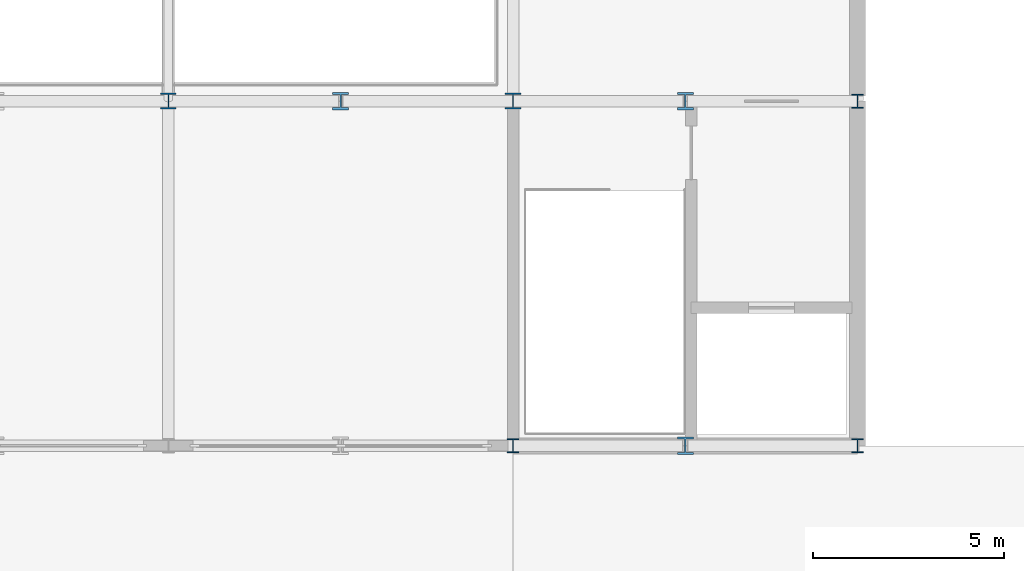
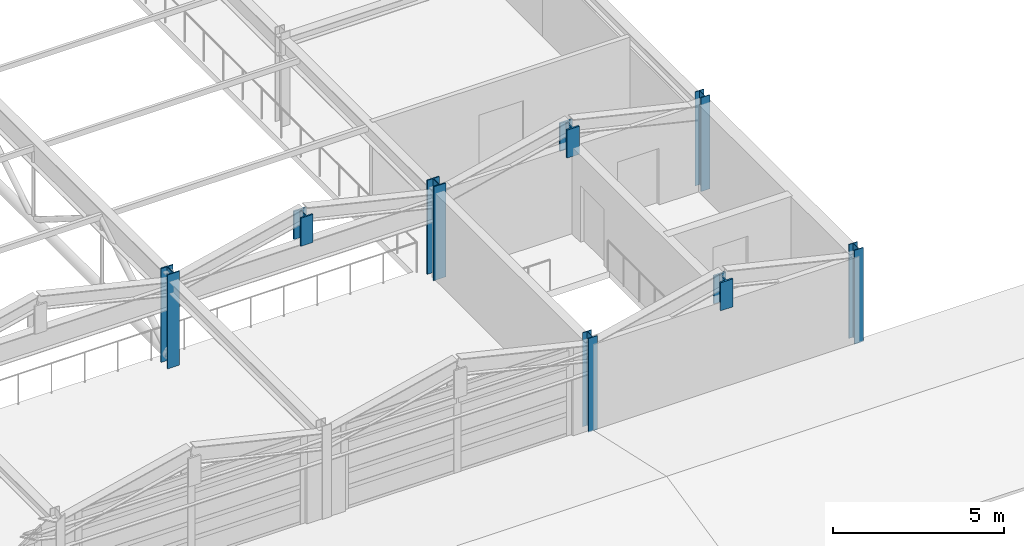
# One storey, part 8 of 91: 8 columns.
"""IFC4 building model written with IfcOpenShell, lengths in metres."""

from ifc_helpers import new_model, si_unit, direction, frame, origin, origin_2d, place, context, subcontext, project, spatial, i_section, extrude, material, material_profile, profile_set, type_object, element, save


model = new_model("IFC4")

# Units and contexts
model_context = context("Model", 3, precision=1e-05, world=origin(), true_north=direction((0.0, 1.0)))
body_context = subcontext(model_context, "Body", "Model", "MODEL_VIEW")
ifc_project = project(units=[si_unit("LENGTHUNIT", "METRE"), si_unit("AREAUNIT", "SQUARE_METRE"), si_unit("VOLUMEUNIT", "CUBIC_METRE"), si_unit("PLANEANGLEUNIT", "RADIAN"), si_unit("MASSUNIT", "GRAM", prefix="KILO")], contexts=[model_context])

# Site, building, storey
site_placement = place(None, origin())
site = spatial("IfcSite", under=ifc_project, at=site_placement, CompositionType="ELEMENT")
building_placement = place(site_placement, origin())
building = spatial("IfcBuilding", under=site, at=building_placement, Name="Palais des Congres Ocreval", CompositionType="ELEMENT")
storey_placement = place(building_placement, frame((0.0, 0.0, 8.159912109375)))
storey = spatial("IfcBuildingStorey", under=building, at=storey_placement, Name="L02", CompositionType="ELEMENT", Elevation=8.159912109375)

# Columns
ifc_material_1 = material(Name="Steel S355", Category="steel")
ifc_material_profile_1 = material_profile(ifc_material_1, i_section(OverallWidth=0.406005859375, OverallDepth=0.416015625, WebThickness=0.0224609375, FlangeThickness=0.0380859375, at=origin_2d()), Name="HD 400x382")
ifc_profile_set_1 = profile_set([ifc_material_profile_1], Name="Steel S355")
column_type_1 = type_object("IfcColumnType", Name="Column HD 400x382 Steel S355", PredefinedType="COLUMN", material=ifc_profile_set_1)
for number, where, z_axis, x_axis, name in (
    (1, (36.0, 90.0, 0.0), (0.0, 0.0, 1.0), (1.0, 0.0, 0.0), "Column C03 L02"),
    (2, (45.0, 90.0, 0.0), (0.0, 0.0, 1.0), (1.0, 0.0, 0.0), "Column C03 L02"),
):
    element("IfcColumn", number, at=place(storey_placement, frame(where, z_axis=z_axis, x_axis=x_axis)), inside=storey, type_object=column_type_1, Name=name, PredefinedType="COLUMN", context=body_context, shape_type="SweptSolid", body=[
        extrude(i_section(OverallWidth=0.406005859375, OverallDepth=0.416015625, WebThickness=0.0224609375, FlangeThickness=0.0380859375, at=origin_2d()), origin(), (0.0, 0.0, 1.0), 3.360107421875),
    ])
ifc_material_2 = material(Name="Steel S460", Category="steel")
ifc_material_profile_2 = material_profile(ifc_material_2, i_section(OverallWidth=0.41796875, OverallDepth=0.455078125, WebThickness=0.031982421875, FlangeThickness=0.055908203125, at=origin_2d()), Name="HD 400x551")
ifc_profile_set_2 = profile_set([ifc_material_profile_2], Name="Steel S460")
column_type_2 = type_object("IfcColumnType", Name="Column HD 400x551 Steel S460", PredefinedType="COLUMN", material=ifc_profile_set_2)
for number, where, z_axis, x_axis, name in (
    (3, (40.5, 90.0, 2.820068359375), (0.0, 0.0, 1.0), (1.0, 0.0, 0.0), "ROOF TRUSS King-Post Strut V1-5-90"),
    (4, (49.5, 81.0, 2.820068359375), (0.0, 0.0, 1.0), (1.0, 0.0, 0.0), "ROOF TRUSS King-Post Strut V1-6-81"),
    (5, (49.5, 90.0, 2.820068359375), (0.0, 0.0, 1.0), (1.0, 0.0, 0.0), "ROOF TRUSS King-Post Strut V1-6-90"),
):
    element("IfcColumn", number, at=place(storey_placement, frame(where, z_axis=z_axis, x_axis=x_axis)), inside=storey, type_object=column_type_2, Name=name, PredefinedType="COLUMN", context=body_context, shape_type="SweptSolid", body=[
        extrude(i_section(OverallWidth=0.41796875, OverallDepth=0.455078125, WebThickness=0.031982421875, FlangeThickness=0.055908203125, at=origin_2d()), origin(), (0.0, 0.0, 1.0), 1.005126953125),
    ])
ifc_material_profile_3 = material_profile(ifc_material_1, i_section(OverallWidth=0.300048828125, OverallDepth=0.360107421875, WebThickness=0.012451171875, FlangeThickness=0.0224609375, at=origin_2d()), Name="HEB 360")
ifc_profile_set_3 = profile_set([ifc_material_profile_3], Name="Steel S355")
column_type_3 = type_object("IfcColumnType", Name="Column HEB 360 Steel S355", PredefinedType="COLUMN", material=ifc_profile_set_3)
for number, where, z_axis, x_axis, name in (
    (6, (45.0, 81.0, 0.0), (0.0, 0.0, 1.0), (1.0, 0.0, 0.0), "Column C11 L02"),
    (7, (54.0, 81.0, 0.0), (0.0, 0.0, 1.0), (1.0, 0.0, 0.0), "Column C11 L02"),
    (8, (54.0, 90.0, 0.0), (0.0, 0.0, 1.0), (1.0, 0.0, 0.0), "Column C11 L02"),
):
    element("IfcColumn", number, at=place(storey_placement, frame(where, z_axis=z_axis, x_axis=x_axis)), inside=storey, type_object=column_type_3, Name=name, PredefinedType="COLUMN", context=body_context, shape_type="SweptSolid", body=[
        extrude(i_section(OverallWidth=0.300048828125, OverallDepth=0.360107421875, WebThickness=0.012451171875, FlangeThickness=0.0224609375, at=origin_2d()), origin(), (0.0, 0.0, 1.0), 3.360107421875),
    ])

save(model, "model.ifc")
